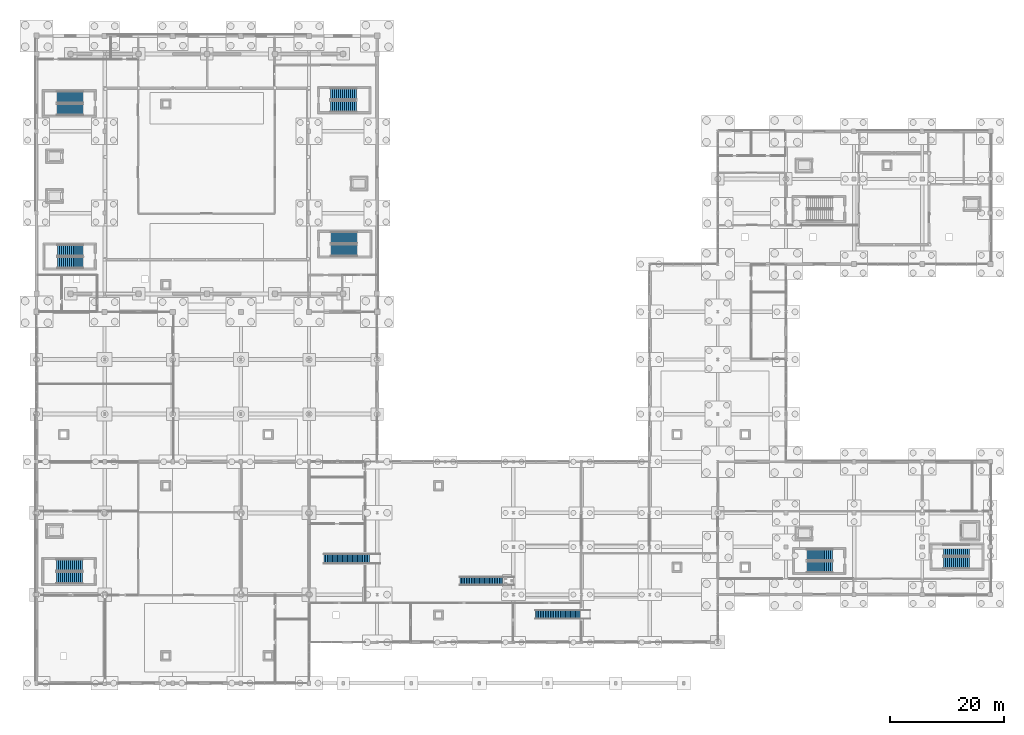
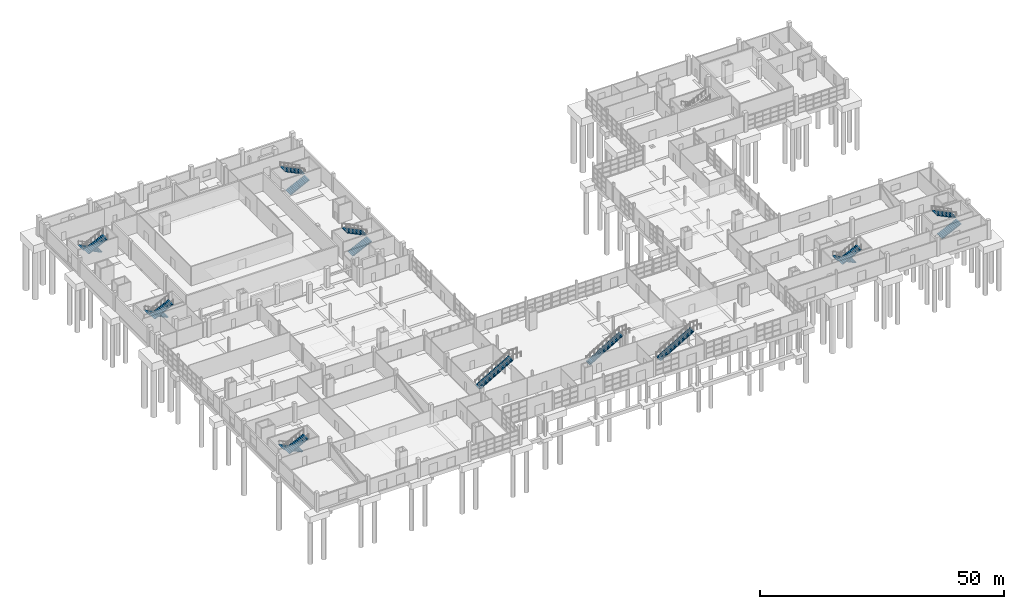
# One storey, part 66 of 82: 17 stair flights, 10 elements without a shape of their own.
"""IFC4 building model written with IfcOpenShell, lengths in metres."""

from ifc_helpers import new_model, si_unit, direction, frame, origin, place, context, subcontext, project, spatial, polyline, outline, extrude, material, type_object, element, aggregate, save


model = new_model("IFC4")

# Units and contexts
model_context = context("Model", 3, precision=1e-05, world=origin(), true_north=direction((0.0, 1.0)))
body_context = subcontext(model_context, "Body", "Model", "MODEL_VIEW")
ifc_project = project(units=[si_unit("LENGTHUNIT", "METRE"), si_unit("AREAUNIT", "SQUARE_METRE"), si_unit("VOLUMEUNIT", "CUBIC_METRE"), si_unit("PLANEANGLEUNIT", "RADIAN"), si_unit("MASSUNIT", "GRAM", prefix="KILO")], contexts=[model_context])

# Site, building, storey
site_placement = place(None, origin())
site = spatial("IfcSite", under=ifc_project, at=site_placement, CompositionType="ELEMENT")
building_placement = place(site_placement, origin())
building = spatial("IfcBuilding", under=site, at=building_placement, Name="Kelmvaro Bay Concert Hall", CompositionType="ELEMENT")
storey_placement = place(building_placement, origin())
storey = spatial("IfcBuildingStorey", under=building, at=storey_placement, Name="L00", CompositionType="ELEMENT", Elevation=0.0)

# Stair, stair flight
ifc_material_1 = material(Name="Concrete C40/50", Category="concrete")
stair_type_1 = type_object("IfcStairType", Name="Atrium Overlook Straight Stair 1480", PredefinedType="STRAIGHT_RUN_STAIR", material=ifc_material_1)
stair_1_placement = place(storey_placement, origin())
stair_1 = element("IfcStair", 1, at=stair_1_placement, inside=storey, type_object=stair_type_1, Name="L00 Feature Stair FS-04", PredefinedType="STRAIGHT_RUN_STAIR")
ifc_material_2 = material(Name="Concrete C40/50", Category="concrete")
stair_flight_type_1 = type_object("IfcStairFlightType", Name="Atrium Stepped Stair Flight 1480", PredefinedType="STRAIGHT", material=ifc_material_2)
stair_flight_1_placement = place(storey_placement, frame((74.550048828125, 18.0, 0.0), z_axis=(0.0, 0.0, 1.0), x_axis=(1.0, 0.0, 0.0)))
stair_flight_1 = element("IfcStairFlight", 2, at=stair_flight_1_placement, type_object=stair_flight_type_1, Name="FS-04 flight 1", NumberOfRisers=28, NumberOfTreads=27, PredefinedType="STRAIGHT", RiserHeight=0.171428571, TreadLength=0.29, context=body_context, shape_type="SweptSolid", body=[
    extrude(outline(polyline([(0.0, 0.0), (0.0, 0.17138671875), (0.2900390625, 0.17138671875), (0.2900390625, 0.3427734375), (0.580078125, 0.3427734375), (0.580078125, 0.514404296875), (0.8701171875, 0.514404296875), (0.8701171875, 0.685791015625), (1.159912109375, 0.685791015625), (1.159912109375, 0.857177734375), (1.449951171875, 0.857177734375), (1.449951171875, 1.028564453125), (1.739990234375, 1.028564453125), (1.739990234375, 1.199951171875), (2.030029296875, 1.199951171875), (2.030029296875, 1.371337890625), (2.320068359375, 1.371337890625), (2.320068359375, 1.54296875), (2.610107421875, 1.54296875), (2.610107421875, 1.71435546875), (2.89990234375, 1.71435546875), (2.89990234375, 1.8857421875), (3.18994140625, 1.8857421875), (3.18994140625, 2.05712890625), (3.47998046875, 2.05712890625), (3.47998046875, 2.228515625), (3.77001953125, 2.228515625), (3.77001953125, 2.39990234375), (4.06005859375, 2.39990234375), (4.06005859375, 2.571533203125), (4.35009765625, 2.571533203125), (4.35009765625, 2.742919921875), (4.639892578125, 2.742919921875), (4.639892578125, 2.914306640625), (4.929931640625, 2.914306640625), (4.929931640625, 3.085693359375), (5.219970703125, 3.085693359375), (5.219970703125, 3.257080078125), (5.510009765625, 3.257080078125), (5.510009765625, 3.428466796875), (5.800048828125, 3.428466796875), (5.800048828125, 3.60009765625), (6.090087890625, 3.60009765625), (6.090087890625, 3.771484375), (6.3798828125, 3.771484375), (6.3798828125, 3.94287109375), (6.669921875, 3.94287109375), (6.669921875, 4.1142578125), (6.9599609375, 4.1142578125), (6.9599609375, 4.28564453125), (7.25, 4.28564453125), (7.25, 4.45703125), (7.5400390625, 4.45703125), (7.5400390625, 4.628662109375), (7.830078125, 4.628662109375), (7.830078125, 4.800048828125), (7.830078125, 4.41943359375), (0.353515625, 0.0), (0.0, 0.0)])), frame((0.0, 0.739990234375, 0.0), z_axis=(0.0, -1.0, 0.0), x_axis=(1.0, 0.0, 0.0)), (0.0, 0.0, 1.0), 1.47998046875),
])
aggregate(stair_1, [stair_flight_1])

ifc_material_3 = material(Name="Concrete C40/50", Category="concrete")
stair_type_2 = type_object("IfcStairType", Name="Concourse Straight Feature Stair 1550", PredefinedType="STRAIGHT_RUN_STAIR", material=ifc_material_3)
stair_2_placement = place(storey_placement, origin())
stair_2 = element("IfcStair", 3, at=stair_2_placement, inside=storey, type_object=stair_type_2, Name="L00 Feature Stair FS-03", PredefinedType="STRAIGHT_RUN_STAIR")
ifc_material_4 = material(Name="Concrete C40/50", Category="concrete")
stair_flight_type_2 = type_object("IfcStairFlightType", Name="Concourse Feature Stair Flight 1550", PredefinedType="STRAIGHT", material=ifc_material_4)
stair_flight_2_placement = place(storey_placement, frame((87.85009765625, 12.10009765625, 0.0), z_axis=(0.0, 0.0, 1.0), x_axis=(1.0, 0.0, 0.0)))
stair_flight_2 = element("IfcStairFlight", 4, at=stair_flight_2_placement, type_object=stair_flight_type_2, Name="FS-03 flight 1", NumberOfRisers=28, NumberOfTreads=27, PredefinedType="STRAIGHT", RiserHeight=0.171428571, TreadLength=0.295, context=body_context, shape_type="SweptSolid", body=[
    extrude(outline(polyline([(0.0, 0.0), (0.0, 0.17138671875), (0.294921875, 0.17138671875), (0.294921875, 0.3427734375), (0.590087890625, 0.3427734375), (0.590087890625, 0.514404296875), (0.885009765625, 0.514404296875), (0.885009765625, 0.685791015625), (1.179931640625, 0.685791015625), (1.179931640625, 0.857177734375), (1.47509765625, 0.857177734375), (1.47509765625, 1.028564453125), (1.77001953125, 1.028564453125), (1.77001953125, 1.199951171875), (2.06494140625, 1.199951171875), (2.06494140625, 1.371337890625), (2.360107421875, 1.371337890625), (2.360107421875, 1.54296875), (2.655029296875, 1.54296875), (2.655029296875, 1.71435546875), (2.949951171875, 1.71435546875), (2.949951171875, 1.8857421875), (3.2451171875, 1.8857421875), (3.2451171875, 2.05712890625), (3.5400390625, 2.05712890625), (3.5400390625, 2.228515625), (3.8349609375, 2.228515625), (3.8349609375, 2.39990234375), (4.1298828125, 2.39990234375), (4.1298828125, 2.571533203125), (4.425048828125, 2.571533203125), (4.425048828125, 2.742919921875), (4.719970703125, 2.742919921875), (4.719970703125, 2.914306640625), (5.014892578125, 2.914306640625), (5.014892578125, 3.085693359375), (5.31005859375, 3.085693359375), (5.31005859375, 3.257080078125), (5.60498046875, 3.257080078125), (5.60498046875, 3.428466796875), (5.89990234375, 3.428466796875), (5.89990234375, 3.60009765625), (6.195068359375, 3.60009765625), (6.195068359375, 3.771484375), (6.489990234375, 3.771484375), (6.489990234375, 3.94287109375), (6.784912109375, 3.94287109375), (6.784912109375, 4.1142578125), (7.080078125, 4.1142578125), (7.080078125, 4.28564453125), (7.375, 4.28564453125), (7.375, 4.45703125), (7.669921875, 4.45703125), (7.669921875, 4.628662109375), (7.965087890625, 4.628662109375), (7.965087890625, 4.800048828125), (7.965087890625, 4.42041015625), (0.358154296875, 0.0), (0.0, 0.0)])), frame((0.0, 0.77490234375, 0.0), z_axis=(0.0, -1.0, 0.0), x_axis=(1.0, 0.0, 0.0)), (0.0, 0.0, 1.0), 1.550048828125),
])
aggregate(stair_2, [stair_flight_2])

# Stair, stair flights
ifc_material_5 = material(Name="Concrete C40/50", Category="concrete")
stair_type_3 = type_object("IfcStairType", Name="Core Dogleg Exit Stair 1980", PredefinedType="USERDEFINED", material=ifc_material_5)
stair_3_placement = place(storey_placement, origin())
stair_3 = element("IfcStair", 5, at=stair_3_placement, inside=storey, type_object=stair_type_3, Name="L00 Exit Stair ST-01", ObjectType="TWO_RETURN_STAIR", PredefinedType="USERDEFINED")
ifc_material_6 = material(Name="Precast Concrete C40/50", Category="concrete")
stair_flight_type_3 = type_object("IfcStairFlightType", Name="Precast Concrete Core Stair Flight 1980", PredefinedType="STRAIGHT", material=ifc_material_6)
stair_flight_3_placement = place(storey_placement, frame((8.219970703125, 76.2099609375, 0.0), z_axis=(0.0, 0.0, 1.0), x_axis=(-1.0, 0.0, 0.0)))
stair_flight_3 = element("IfcStairFlight", 6, at=stair_flight_3_placement, type_object=stair_flight_type_3, Name="ST-01 flight 1", NumberOfRisers=14, NumberOfTreads=13, PredefinedType="STRAIGHT", RiserHeight=0.171428571, TreadLength=0.348, context=body_context, shape_type="SweptSolid", body=[
    extrude(outline(polyline([(0.0, 0.0), (0.0, 0.17138671875), (0.347900390625, 0.17138671875), (0.347900390625, 0.3427734375), (0.696044921875, 0.3427734375), (0.696044921875, 0.514404296875), (1.0439453125, 0.514404296875), (1.0439453125, 0.685791015625), (1.39208984375, 0.685791015625), (1.39208984375, 0.857177734375), (1.739990234375, 0.857177734375), (1.739990234375, 1.028564453125), (2.087890625, 1.028564453125), (2.087890625, 1.199951171875), (2.43603515625, 1.199951171875), (2.43603515625, 1.371337890625), (2.783935546875, 1.371337890625), (2.783935546875, 1.54296875), (3.132080078125, 1.54296875), (3.132080078125, 1.71435546875), (3.47998046875, 1.71435546875), (3.47998046875, 1.8857421875), (3.827880859375, 1.8857421875), (3.827880859375, 2.05712890625), (4.176025390625, 2.05712890625), (4.176025390625, 2.228515625), (4.52392578125, 2.228515625), (4.52392578125, 2.39990234375), (4.52392578125, 2.0615234375), (0.339111328125, 0.0), (0.0, 0.0)])), frame((0.0, 0.989990234375, 0.0), z_axis=(0.0, -1.0, 0.0), x_axis=(1.0, 0.0, 0.0)), (0.0, 0.0, 1.0), 1.97998046875),
])
stair_flight_4_placement = place(storey_placement, frame((3.696044921875, 74.080078125, 2.39990234375), z_axis=(0.0, 0.0, 1.0), x_axis=(1.0, 0.0, 0.0)))
stair_flight_4 = element("IfcStairFlight", 7, at=stair_flight_4_placement, type_object=stair_flight_type_3, Name="ST-01 flight 2", NumberOfRisers=14, NumberOfTreads=13, PredefinedType="STRAIGHT", RiserHeight=0.171428571, TreadLength=0.348, context=body_context, shape_type="SweptSolid", body=[
    extrude(outline(polyline([(0.0, 0.0), (0.0, 0.17138671875), (0.347900390625, 0.17138671875), (0.347900390625, 0.3427734375), (0.696044921875, 0.3427734375), (0.696044921875, 0.514404296875), (1.0439453125, 0.514404296875), (1.0439453125, 0.685791015625), (1.39208984375, 0.685791015625), (1.39208984375, 0.857177734375), (1.739990234375, 0.857177734375), (1.739990234375, 1.028564453125), (2.087890625, 1.028564453125), (2.087890625, 1.199951171875), (2.43603515625, 1.199951171875), (2.43603515625, 1.371337890625), (2.783935546875, 1.371337890625), (2.783935546875, 1.54296875), (3.132080078125, 1.54296875), (3.132080078125, 1.71435546875), (3.47998046875, 1.71435546875), (3.47998046875, 1.8857421875), (3.827880859375, 1.8857421875), (3.827880859375, 2.05712890625), (4.176025390625, 2.05712890625), (4.176025390625, 2.228515625), (4.52392578125, 2.228515625), (4.52392578125, 2.39990234375), (4.52392578125, 2.0615234375), (0.339111328125, 0.0), (0.0, 0.0)])), frame((0.0, 0.989990234375, 0.0), z_axis=(0.0, -1.0, 0.0), x_axis=(1.0, 0.0, 0.0)), (0.0, 0.0, 1.0), 1.97998046875),
])
aggregate(stair_3, [stair_flight_3, stair_flight_4])

stair_4_placement = place(storey_placement, origin())
stair_4 = element("IfcStair", 8, at=stair_4_placement, inside=storey, type_object=stair_type_3, Name="L00 Exit Stair ST-05", ObjectType="TWO_RETURN_STAIR", PredefinedType="USERDEFINED")
stair_flight_5_placement = place(storey_placement, frame((140.219970703125, 22.610107421875, 0.0), z_axis=(0.0, 0.0, 1.0), x_axis=(-1.0, 0.0, 0.0)))
stair_flight_5 = element("IfcStairFlight", 9, at=stair_flight_5_placement, type_object=stair_flight_type_3, Name="ST-05 flight 1", NumberOfRisers=14, NumberOfTreads=13, PredefinedType="STRAIGHT", RiserHeight=0.171428571, TreadLength=0.348, context=body_context, shape_type="SweptSolid", body=[
    extrude(outline(polyline([(0.0, 0.0), (0.0, 0.17138671875), (0.347900390625, 0.17138671875), (0.347900390625, 0.3427734375), (0.696044921875, 0.3427734375), (0.696044921875, 0.514404296875), (1.0439453125, 0.514404296875), (1.0439453125, 0.685791015625), (1.39208984375, 0.685791015625), (1.39208984375, 0.857177734375), (1.739990234375, 0.857177734375), (1.739990234375, 1.028564453125), (2.087890625, 1.028564453125), (2.087890625, 1.199951171875), (2.43603515625, 1.199951171875), (2.43603515625, 1.371337890625), (2.783935546875, 1.371337890625), (2.783935546875, 1.54296875), (3.132080078125, 1.54296875), (3.132080078125, 1.71435546875), (3.47998046875, 1.71435546875), (3.47998046875, 1.8857421875), (3.827880859375, 1.8857421875), (3.827880859375, 2.05712890625), (4.176025390625, 2.05712890625), (4.176025390625, 2.228515625), (4.52392578125, 2.228515625), (4.52392578125, 2.39990234375), (4.52392578125, 2.0615234375), (0.339111328125, 0.0), (0.0, 0.0)])), frame((0.0, 0.989990234375, 0.0), z_axis=(0.0, -1.0, 0.0), x_axis=(1.0, 0.0, 0.0)), (0.0, 0.0, 1.0), 1.97998046875),
])
stair_flight_6_placement = place(storey_placement, frame((135.696044921875, 20.47998046875, 2.39990234375), z_axis=(0.0, 0.0, 1.0), x_axis=(1.0, 0.0, 0.0)))
stair_flight_6 = element("IfcStairFlight", 10, at=stair_flight_6_placement, type_object=stair_flight_type_3, Name="ST-05 flight 2", NumberOfRisers=14, NumberOfTreads=13, PredefinedType="STRAIGHT", RiserHeight=0.171428571, TreadLength=0.348, context=body_context, shape_type="SweptSolid", body=[
    extrude(outline(polyline([(0.0, 0.0), (0.0, 0.17138671875), (0.347900390625, 0.17138671875), (0.347900390625, 0.3427734375), (0.696044921875, 0.3427734375), (0.696044921875, 0.514404296875), (1.0439453125, 0.514404296875), (1.0439453125, 0.685791015625), (1.39208984375, 0.685791015625), (1.39208984375, 0.857177734375), (1.739990234375, 0.857177734375), (1.739990234375, 1.028564453125), (2.087890625, 1.028564453125), (2.087890625, 1.199951171875), (2.43603515625, 1.199951171875), (2.43603515625, 1.371337890625), (2.783935546875, 1.371337890625), (2.783935546875, 1.54296875), (3.132080078125, 1.54296875), (3.132080078125, 1.71435546875), (3.47998046875, 1.71435546875), (3.47998046875, 1.8857421875), (3.827880859375, 1.8857421875), (3.827880859375, 2.05712890625), (4.176025390625, 2.05712890625), (4.176025390625, 2.228515625), (4.52392578125, 2.228515625), (4.52392578125, 2.39990234375), (4.52392578125, 2.0615234375), (0.339111328125, 0.0), (0.0, 0.0)])), frame((0.0, 0.989990234375, 0.0), z_axis=(0.0, -1.0, 0.0), x_axis=(1.0, 0.0, 0.0)), (0.0, 0.0, 1.0), 1.97998046875),
])
aggregate(stair_4, [stair_flight_5, stair_flight_6])

ifc_material_7 = material(Name="Concrete C40/50", Category="concrete")
stair_type_4 = type_object("IfcStairType", Name="Core Dogleg Exit Stair 2000", PredefinedType="USERDEFINED", material=ifc_material_7)
stair_5_placement = place(storey_placement, origin())
stair_5 = element("IfcStair", 11, at=stair_5_placement, inside=storey, type_object=stair_type_4, Name="L00 Exit Stair ST-02", ObjectType="TWO_RETURN_STAIR", PredefinedType="USERDEFINED")
ifc_material_8 = material(Name="Precast Concrete C40/50", Category="concrete")
stair_flight_type_4 = type_object("IfcStairFlightType", Name="Precast Concrete Core Stair Flight 2000", PredefinedType="STRAIGHT", material=ifc_material_8)
stair_flight_7_placement = place(storey_placement, frame((51.800048828125, 101.60009765625, 0.0), z_axis=(0.0, 0.0, 1.0), x_axis=(1.0, 0.0, 0.0)))
stair_flight_7 = element("IfcStairFlight", 12, at=stair_flight_7_placement, type_object=stair_flight_type_4, Name="ST-02 flight 1", NumberOfRisers=14, NumberOfTreads=13, PredefinedType="STRAIGHT", RiserHeight=0.171428571, TreadLength=0.35, context=body_context, shape_type="SweptSolid", body=[
    extrude(outline(polyline([(0.0, 0.0), (0.0, 0.17138671875), (0.35009765625, 0.17138671875), (0.35009765625, 0.3427734375), (0.699951171875, 0.3427734375), (0.699951171875, 0.514404296875), (1.050048828125, 0.514404296875), (1.050048828125, 0.685791015625), (1.39990234375, 0.685791015625), (1.39990234375, 0.857177734375), (1.75, 0.857177734375), (1.75, 1.028564453125), (2.10009765625, 1.028564453125), (2.10009765625, 1.199951171875), (2.449951171875, 1.199951171875), (2.449951171875, 1.371337890625), (2.800048828125, 1.371337890625), (2.800048828125, 1.54296875), (3.14990234375, 1.54296875), (3.14990234375, 1.71435546875), (3.5, 1.71435546875), (3.5, 1.8857421875), (3.85009765625, 1.8857421875), (3.85009765625, 2.05712890625), (4.199951171875, 2.05712890625), (4.199951171875, 2.228515625), (4.550048828125, 2.228515625), (4.550048828125, 2.39990234375), (4.550048828125, 2.061767578125), (0.3408203125, 0.0), (0.0, 0.0)])), frame((0.0, 1.0, 0.0), z_axis=(0.0, -1.0, 0.0), x_axis=(1.0, 0.0, 0.0)), (0.0, 0.0, 1.0), 2.0),
])
stair_flight_8_placement = place(storey_placement, frame((56.35009765625, 103.75, 2.39990234375), z_axis=(0.0, 0.0, 1.0), x_axis=(-1.0, 0.0, 0.0)))
stair_flight_8 = element("IfcStairFlight", 13, at=stair_flight_8_placement, type_object=stair_flight_type_4, Name="ST-02 flight 2", NumberOfRisers=14, NumberOfTreads=13, PredefinedType="STRAIGHT", RiserHeight=0.171428571, TreadLength=0.35, context=body_context, shape_type="SweptSolid", body=[
    extrude(outline(polyline([(0.0, 0.0), (0.0, 0.17138671875), (0.35009765625, 0.17138671875), (0.35009765625, 0.3427734375), (0.699951171875, 0.3427734375), (0.699951171875, 0.514404296875), (1.050048828125, 0.514404296875), (1.050048828125, 0.685791015625), (1.39990234375, 0.685791015625), (1.39990234375, 0.857177734375), (1.75, 0.857177734375), (1.75, 1.028564453125), (2.10009765625, 1.028564453125), (2.10009765625, 1.199951171875), (2.449951171875, 1.199951171875), (2.449951171875, 1.371337890625), (2.800048828125, 1.371337890625), (2.800048828125, 1.54296875), (3.14990234375, 1.54296875), (3.14990234375, 1.71435546875), (3.5, 1.71435546875), (3.5, 1.8857421875), (3.85009765625, 1.8857421875), (3.85009765625, 2.05712890625), (4.199951171875, 2.05712890625), (4.199951171875, 2.228515625), (4.550048828125, 2.228515625), (4.550048828125, 2.39990234375), (4.550048828125, 2.061767578125), (0.3408203125, 0.0), (0.0, 0.0)])), frame((0.0, 1.0, 0.0), z_axis=(0.0, -1.0, 0.0), x_axis=(1.0, 0.0, 0.0)), (0.0, 0.0, 1.0), 2.0),
])
aggregate(stair_5, [stair_flight_7, stair_flight_8])

stair_6_placement = place(storey_placement, origin())
stair_6 = element("IfcStair", 14, at=stair_6_placement, inside=storey, type_object=stair_type_4, Name="L00 Exit Stair ST-06", ObjectType="TWO_RETURN_STAIR", PredefinedType="USERDEFINED")
stair_flight_9_placement = place(storey_placement, frame((159.719970703125, 21.2099609375, 0.0), z_axis=(0.0, 0.0, 1.0), x_axis=(1.0, 0.0, 0.0)))
stair_flight_9 = element("IfcStairFlight", 15, at=stair_flight_9_placement, type_object=stair_flight_type_4, Name="ST-06 flight 1", NumberOfRisers=14, NumberOfTreads=13, PredefinedType="STRAIGHT", RiserHeight=0.171428571, TreadLength=0.352, context=body_context, shape_type="SweptSolid", body=[
    extrude(outline(polyline([(0.0, 0.0), (0.0, 0.17138671875), (0.35205078125, 0.17138671875), (0.35205078125, 0.3427734375), (0.7041015625, 0.3427734375), (0.7041015625, 0.514404296875), (1.055908203125, 0.514404296875), (1.055908203125, 0.685791015625), (1.407958984375, 0.685791015625), (1.407958984375, 0.857177734375), (1.760009765625, 0.857177734375), (1.760009765625, 1.028564453125), (2.112060546875, 1.028564453125), (2.112060546875, 1.199951171875), (2.464111328125, 1.199951171875), (2.464111328125, 1.371337890625), (2.81591796875, 1.371337890625), (2.81591796875, 1.54296875), (3.16796875, 1.54296875), (3.16796875, 1.71435546875), (3.52001953125, 1.71435546875), (3.52001953125, 1.8857421875), (3.8720703125, 1.8857421875), (3.8720703125, 2.05712890625), (4.22412109375, 2.05712890625), (4.22412109375, 2.228515625), (4.575927734375, 2.228515625), (4.575927734375, 2.39990234375), (4.575927734375, 2.061767578125), (0.34228515625, 0.0), (0.0, 0.0)])), frame((0.0, 1.010009765625, 0.0), z_axis=(0.0, -1.0, 0.0), x_axis=(1.0, 0.0, 0.0)), (0.0, 0.0, 1.0), 2.02001953125),
])
stair_flight_10_placement = place(storey_placement, frame((164.2958984375, 23.3798828125, 2.39990234375), z_axis=(0.0, 0.0, 1.0), x_axis=(-1.0, 0.0, 0.0)))
stair_flight_10 = element("IfcStairFlight", 16, at=stair_flight_10_placement, type_object=stair_flight_type_4, Name="ST-06 flight 2", NumberOfRisers=14, NumberOfTreads=13, PredefinedType="STRAIGHT", RiserHeight=0.171428571, TreadLength=0.352, context=body_context, shape_type="SweptSolid", body=[
    extrude(outline(polyline([(0.0, 0.0), (0.0, 0.17138671875), (0.35205078125, 0.17138671875), (0.35205078125, 0.3427734375), (0.7041015625, 0.3427734375), (0.7041015625, 0.514404296875), (1.055908203125, 0.514404296875), (1.055908203125, 0.685791015625), (1.407958984375, 0.685791015625), (1.407958984375, 0.857177734375), (1.760009765625, 0.857177734375), (1.760009765625, 1.028564453125), (2.112060546875, 1.028564453125), (2.112060546875, 1.199951171875), (2.464111328125, 1.199951171875), (2.464111328125, 1.371337890625), (2.81591796875, 1.371337890625), (2.81591796875, 1.54296875), (3.16796875, 1.54296875), (3.16796875, 1.71435546875), (3.52001953125, 1.71435546875), (3.52001953125, 1.8857421875), (3.8720703125, 1.8857421875), (3.8720703125, 2.05712890625), (4.22412109375, 2.05712890625), (4.22412109375, 2.228515625), (4.575927734375, 2.228515625), (4.575927734375, 2.39990234375), (4.575927734375, 2.061767578125), (0.34228515625, 0.0), (0.0, 0.0)])), frame((0.0, 1.010009765625, 0.0), z_axis=(0.0, -1.0, 0.0), x_axis=(1.0, 0.0, 0.0)), (0.0, 0.0, 1.0), 2.02001953125),
])
aggregate(stair_6, [stair_flight_9, stair_flight_10])

ifc_material_9 = material(Name="Concrete C40/50", Category="concrete")
stair_type_5 = type_object("IfcStairType", Name="Core Dogleg Exit Stair 2020", PredefinedType="USERDEFINED", material=ifc_material_9)
stair_7_placement = place(storey_placement, origin())
stair_7 = element("IfcStair", 17, at=stair_7_placement, inside=storey, type_object=stair_type_5, Name="L00 Exit Stair ST-03", ObjectType="TWO_RETURN_STAIR", PredefinedType="USERDEFINED")
ifc_material_10 = material(Name="Precast Concrete C40/50", Category="concrete")
stair_flight_type_5 = type_object("IfcStairFlightType", Name="Precast Concrete Core Stair Flight 2020", PredefinedType="STRAIGHT", material=ifc_material_10)
stair_flight_11_placement = place(storey_placement, frame((8.179931640625, 103.18994140625, 0.0), z_axis=(0.0, 0.0, 1.0), x_axis=(-1.0, 0.0, 0.0)))
stair_flight_11 = element("IfcStairFlight", 18, at=stair_flight_11_placement, type_object=stair_flight_type_5, Name="ST-03 flight 1", NumberOfRisers=14, NumberOfTreads=13, PredefinedType="STRAIGHT", RiserHeight=0.171428571, TreadLength=0.352, context=body_context, shape_type="SweptSolid", body=[
    extrude(outline(polyline([(0.0, 0.0), (0.0, 0.17138671875), (0.35205078125, 0.17138671875), (0.35205078125, 0.3427734375), (0.7041015625, 0.3427734375), (0.7041015625, 0.514404296875), (1.055908203125, 0.514404296875), (1.055908203125, 0.685791015625), (1.407958984375, 0.685791015625), (1.407958984375, 0.857177734375), (1.760009765625, 0.857177734375), (1.760009765625, 1.028564453125), (2.112060546875, 1.028564453125), (2.112060546875, 1.199951171875), (2.464111328125, 1.199951171875), (2.464111328125, 1.371337890625), (2.81591796875, 1.371337890625), (2.81591796875, 1.54296875), (3.16796875, 1.54296875), (3.16796875, 1.71435546875), (3.52001953125, 1.71435546875), (3.52001953125, 1.8857421875), (3.8720703125, 1.8857421875), (3.8720703125, 2.05712890625), (4.22412109375, 2.05712890625), (4.22412109375, 2.228515625), (4.575927734375, 2.228515625), (4.575927734375, 2.39990234375), (4.575927734375, 2.061767578125), (0.34228515625, 0.0), (0.0, 0.0)])), frame((0.0, 1.010009765625, 0.0), z_axis=(0.0, -1.0, 0.0), x_axis=(1.0, 0.0, 0.0)), (0.0, 0.0, 1.0), 2.02001953125),
])
stair_flight_12_placement = place(storey_placement, frame((3.60400390625, 101.02001953125, 2.39990234375), z_axis=(0.0, 0.0, 1.0), x_axis=(1.0, 0.0, 0.0)))
stair_flight_12 = element("IfcStairFlight", 19, at=stair_flight_12_placement, type_object=stair_flight_type_5, Name="ST-03 flight 2", NumberOfRisers=14, NumberOfTreads=13, PredefinedType="STRAIGHT", RiserHeight=0.171428571, TreadLength=0.352, context=body_context, shape_type="SweptSolid", body=[
    extrude(outline(polyline([(0.0, 0.0), (0.0, 0.17138671875), (0.35205078125, 0.17138671875), (0.35205078125, 0.3427734375), (0.7041015625, 0.3427734375), (0.7041015625, 0.514404296875), (1.055908203125, 0.514404296875), (1.055908203125, 0.685791015625), (1.407958984375, 0.685791015625), (1.407958984375, 0.857177734375), (1.760009765625, 0.857177734375), (1.760009765625, 1.028564453125), (2.112060546875, 1.028564453125), (2.112060546875, 1.199951171875), (2.464111328125, 1.199951171875), (2.464111328125, 1.371337890625), (2.81591796875, 1.371337890625), (2.81591796875, 1.54296875), (3.16796875, 1.54296875), (3.16796875, 1.71435546875), (3.52001953125, 1.71435546875), (3.52001953125, 1.8857421875), (3.8720703125, 1.8857421875), (3.8720703125, 2.05712890625), (4.22412109375, 2.05712890625), (4.22412109375, 2.228515625), (4.575927734375, 2.228515625), (4.575927734375, 2.39990234375), (4.575927734375, 2.061767578125), (0.34228515625, 0.0), (0.0, 0.0)])), frame((0.0, 1.010009765625, 0.0), z_axis=(0.0, -1.0, 0.0), x_axis=(1.0, 0.0, 0.0)), (0.0, 0.0, 1.0), 2.02001953125),
])
aggregate(stair_7, [stair_flight_11, stair_flight_12])

ifc_material_11 = material(Name="Concrete C40/50", Category="concrete")
stair_type_6 = type_object("IfcStairType", Name="Core Dogleg Exit Stair 2050", PredefinedType="USERDEFINED", material=ifc_material_11)
stair_8_placement = place(storey_placement, origin())
stair_8 = element("IfcStair", 20, at=stair_8_placement, inside=storey, type_object=stair_type_6, Name="L00 Exit Stair ST-04", ObjectType="TWO_RETURN_STAIR", PredefinedType="USERDEFINED")
ifc_material_12 = material(Name="Precast Concrete C40/50", Category="concrete")
stair_flight_type_6 = type_object("IfcStairFlightType", Name="Precast Concrete Core Stair Flight 2050", PredefinedType="STRAIGHT", material=ifc_material_12)
stair_flight_13_placement = place(storey_placement, frame((51.85009765625, 76.22509765625, 0.0), z_axis=(0.0, 0.0, 1.0), x_axis=(1.0, 0.0, 0.0)))
stair_flight_13 = element("IfcStairFlight", 21, at=stair_flight_13_placement, type_object=stair_flight_type_6, Name="ST-04 flight 1", NumberOfRisers=14, NumberOfTreads=13, PredefinedType="STRAIGHT", RiserHeight=0.171428571, TreadLength=0.355, context=body_context, shape_type="SweptSolid", body=[
    extrude(outline(polyline([(0.0, 0.0), (0.0, 0.17138671875), (0.35498046875, 0.17138671875), (0.35498046875, 0.3427734375), (0.7099609375, 0.3427734375), (0.7099609375, 0.514404296875), (1.06494140625, 0.514404296875), (1.06494140625, 0.685791015625), (1.419921875, 0.685791015625), (1.419921875, 0.857177734375), (1.77490234375, 0.857177734375), (1.77490234375, 1.028564453125), (2.1298828125, 1.028564453125), (2.1298828125, 1.199951171875), (2.485107421875, 1.199951171875), (2.485107421875, 1.371337890625), (2.840087890625, 1.371337890625), (2.840087890625, 1.54296875), (3.195068359375, 1.54296875), (3.195068359375, 1.71435546875), (3.550048828125, 1.71435546875), (3.550048828125, 1.8857421875), (3.905029296875, 1.8857421875), (3.905029296875, 2.05712890625), (4.260009765625, 2.05712890625), (4.260009765625, 2.228515625), (4.614990234375, 2.228515625), (4.614990234375, 2.39990234375), (4.614990234375, 2.06201171875), (0.3447265625, 0.0), (0.0, 0.0)])), frame((0.0, 1.02490234375, 0.0), z_axis=(0.0, -1.0, 0.0), x_axis=(1.0, 0.0, 0.0)), (0.0, 0.0, 1.0), 2.050048828125),
])
stair_flight_14_placement = place(storey_placement, frame((56.465087890625, 78.425048828125, 2.39990234375), z_axis=(0.0, 0.0, 1.0), x_axis=(-1.0, 0.0, 0.0)))
stair_flight_14 = element("IfcStairFlight", 22, at=stair_flight_14_placement, type_object=stair_flight_type_6, Name="ST-04 flight 2", NumberOfRisers=14, NumberOfTreads=13, PredefinedType="STRAIGHT", RiserHeight=0.171428571, TreadLength=0.355, context=body_context, shape_type="SweptSolid", body=[
    extrude(outline(polyline([(0.0, 0.0), (0.0, 0.17138671875), (0.35498046875, 0.17138671875), (0.35498046875, 0.3427734375), (0.7099609375, 0.3427734375), (0.7099609375, 0.514404296875), (1.06494140625, 0.514404296875), (1.06494140625, 0.685791015625), (1.419921875, 0.685791015625), (1.419921875, 0.857177734375), (1.77490234375, 0.857177734375), (1.77490234375, 1.028564453125), (2.1298828125, 1.028564453125), (2.1298828125, 1.199951171875), (2.485107421875, 1.199951171875), (2.485107421875, 1.371337890625), (2.840087890625, 1.371337890625), (2.840087890625, 1.54296875), (3.195068359375, 1.54296875), (3.195068359375, 1.71435546875), (3.550048828125, 1.71435546875), (3.550048828125, 1.8857421875), (3.905029296875, 1.8857421875), (3.905029296875, 2.05712890625), (4.260009765625, 2.05712890625), (4.260009765625, 2.228515625), (4.614990234375, 2.228515625), (4.614990234375, 2.39990234375), (4.614990234375, 2.06201171875), (0.3447265625, 0.0), (0.0, 0.0)])), frame((0.0, 1.02490234375, 0.0), z_axis=(0.0, -1.0, 0.0), x_axis=(1.0, 0.0, 0.0)), (0.0, 0.0, 1.0), 2.050048828125),
])
aggregate(stair_8, [stair_flight_13, stair_flight_14])

stair_9_placement = place(storey_placement, origin())
stair_9 = element("IfcStair", 23, at=stair_9_placement, inside=storey, type_object=stair_type_6, Name="L00 Exit Stair ST-08", ObjectType="TWO_RETURN_STAIR", PredefinedType="USERDEFINED")
stair_flight_15_placement = place(storey_placement, frame((8.14990234375, 20.77490234375, 0.0), z_axis=(0.0, 0.0, 1.0), x_axis=(-1.0, 0.0, 0.0)))
stair_flight_15 = element("IfcStairFlight", 24, at=stair_flight_15_placement, type_object=stair_flight_type_6, Name="ST-08 flight 1", NumberOfRisers=14, NumberOfTreads=13, PredefinedType="STRAIGHT", RiserHeight=0.171428571, TreadLength=0.355, context=body_context, shape_type="SweptSolid", body=[
    extrude(outline(polyline([(0.0, 0.0), (0.0, 0.17138671875), (0.35498046875, 0.17138671875), (0.35498046875, 0.3427734375), (0.7099609375, 0.3427734375), (0.7099609375, 0.514404296875), (1.06494140625, 0.514404296875), (1.06494140625, 0.685791015625), (1.419921875, 0.685791015625), (1.419921875, 0.857177734375), (1.77490234375, 0.857177734375), (1.77490234375, 1.028564453125), (2.1298828125, 1.028564453125), (2.1298828125, 1.199951171875), (2.485107421875, 1.199951171875), (2.485107421875, 1.371337890625), (2.840087890625, 1.371337890625), (2.840087890625, 1.54296875), (3.195068359375, 1.54296875), (3.195068359375, 1.71435546875), (3.550048828125, 1.71435546875), (3.550048828125, 1.8857421875), (3.905029296875, 1.8857421875), (3.905029296875, 2.05712890625), (4.260009765625, 2.05712890625), (4.260009765625, 2.228515625), (4.614990234375, 2.228515625), (4.614990234375, 2.39990234375), (4.614990234375, 2.06201171875), (0.3447265625, 0.0), (0.0, 0.0)])), frame((0.0, 1.02490234375, 0.0), z_axis=(0.0, -1.0, 0.0), x_axis=(1.0, 0.0, 0.0)), (0.0, 0.0, 1.0), 2.050048828125),
])
stair_flight_16_placement = place(storey_placement, frame((3.534912109375, 18.574951171875, 2.39990234375), z_axis=(0.0, 0.0, 1.0), x_axis=(1.0, 0.0, 0.0)))
stair_flight_16 = element("IfcStairFlight", 25, at=stair_flight_16_placement, type_object=stair_flight_type_6, Name="ST-08 flight 2", NumberOfRisers=14, NumberOfTreads=13, PredefinedType="STRAIGHT", RiserHeight=0.171428571, TreadLength=0.355, context=body_context, shape_type="SweptSolid", body=[
    extrude(outline(polyline([(0.0, 0.0), (0.0, 0.17138671875), (0.35498046875, 0.17138671875), (0.35498046875, 0.3427734375), (0.7099609375, 0.3427734375), (0.7099609375, 0.514404296875), (1.06494140625, 0.514404296875), (1.06494140625, 0.685791015625), (1.419921875, 0.685791015625), (1.419921875, 0.857177734375), (1.77490234375, 0.857177734375), (1.77490234375, 1.028564453125), (2.1298828125, 1.028564453125), (2.1298828125, 1.199951171875), (2.485107421875, 1.199951171875), (2.485107421875, 1.371337890625), (2.840087890625, 1.371337890625), (2.840087890625, 1.54296875), (3.195068359375, 1.54296875), (3.195068359375, 1.71435546875), (3.550048828125, 1.71435546875), (3.550048828125, 1.8857421875), (3.905029296875, 1.8857421875), (3.905029296875, 2.05712890625), (4.260009765625, 2.05712890625), (4.260009765625, 2.228515625), (4.614990234375, 2.228515625), (4.614990234375, 2.39990234375), (4.614990234375, 2.06201171875), (0.3447265625, 0.0), (0.0, 0.0)])), frame((0.0, 1.02490234375, 0.0), z_axis=(0.0, -1.0, 0.0), x_axis=(1.0, 0.0, 0.0)), (0.0, 0.0, 1.0), 2.050048828125),
])
aggregate(stair_9, [stair_flight_15, stair_flight_16])

# Stair, stair flight
ifc_material_13 = material(Name="Concrete C40/50", Category="concrete")
stair_type_7 = type_object("IfcStairType", Name="Ceremonial Straight Feature Stair 1750", PredefinedType="STRAIGHT_RUN_STAIR", material=ifc_material_13)
stair_10_placement = place(storey_placement, origin())
stair_10 = element("IfcStair", 26, at=stair_10_placement, inside=storey, type_object=stair_type_7, Name="L00 Feature Stair FS-01", PredefinedType="STRAIGHT_RUN_STAIR")
ifc_material_14 = material(Name="Concrete C40/50", Category="concrete")
stair_flight_type_7 = type_object("IfcStairFlightType", Name="Travertine Feature Stair Flight 1750", PredefinedType="STRAIGHT", material=ifc_material_14)
stair_flight_17_placement = place(storey_placement, frame((50.64990234375, 21.89990234375, 0.0), z_axis=(0.0, 0.0, 1.0), x_axis=(1.0, 0.0, 0.0)))
stair_flight_17 = element("IfcStairFlight", 27, at=stair_flight_17_placement, type_object=stair_flight_type_7, Name="FS-01 flight 1", NumberOfRisers=28, NumberOfTreads=27, PredefinedType="STRAIGHT", RiserHeight=0.171428571, TreadLength=0.295, context=body_context, shape_type="SweptSolid", body=[
    extrude(outline(polyline([(0.0, 0.0), (0.0, 0.17138671875), (0.294921875, 0.17138671875), (0.294921875, 0.3427734375), (0.590087890625, 0.3427734375), (0.590087890625, 0.514404296875), (0.885009765625, 0.514404296875), (0.885009765625, 0.685791015625), (1.179931640625, 0.685791015625), (1.179931640625, 0.857177734375), (1.47509765625, 0.857177734375), (1.47509765625, 1.028564453125), (1.77001953125, 1.028564453125), (1.77001953125, 1.199951171875), (2.06494140625, 1.199951171875), (2.06494140625, 1.371337890625), (2.360107421875, 1.371337890625), (2.360107421875, 1.54296875), (2.655029296875, 1.54296875), (2.655029296875, 1.71435546875), (2.949951171875, 1.71435546875), (2.949951171875, 1.8857421875), (3.2451171875, 1.8857421875), (3.2451171875, 2.05712890625), (3.5400390625, 2.05712890625), (3.5400390625, 2.228515625), (3.8349609375, 2.228515625), (3.8349609375, 2.39990234375), (4.1298828125, 2.39990234375), (4.1298828125, 2.571533203125), (4.425048828125, 2.571533203125), (4.425048828125, 2.742919921875), (4.719970703125, 2.742919921875), (4.719970703125, 2.914306640625), (5.014892578125, 2.914306640625), (5.014892578125, 3.085693359375), (5.31005859375, 3.085693359375), (5.31005859375, 3.257080078125), (5.60498046875, 3.257080078125), (5.60498046875, 3.428466796875), (5.89990234375, 3.428466796875), (5.89990234375, 3.60009765625), (6.195068359375, 3.60009765625), (6.195068359375, 3.771484375), (6.489990234375, 3.771484375), (6.489990234375, 3.94287109375), (6.784912109375, 3.94287109375), (6.784912109375, 4.1142578125), (7.080078125, 4.1142578125), (7.080078125, 4.28564453125), (7.375, 4.28564453125), (7.375, 4.45703125), (7.669921875, 4.45703125), (7.669921875, 4.628662109375), (7.965087890625, 4.628662109375), (7.965087890625, 4.800048828125), (7.965087890625, 4.42041015625), (0.358154296875, 0.0), (0.0, 0.0)])), frame((0.0, 0.875, 0.0), z_axis=(0.0, -1.0, 0.0), x_axis=(1.0, 0.0, 0.0)), (0.0, 0.0, 1.0), 1.75),
])
aggregate(stair_10, [stair_flight_17])

save(model, "model.ifc")
